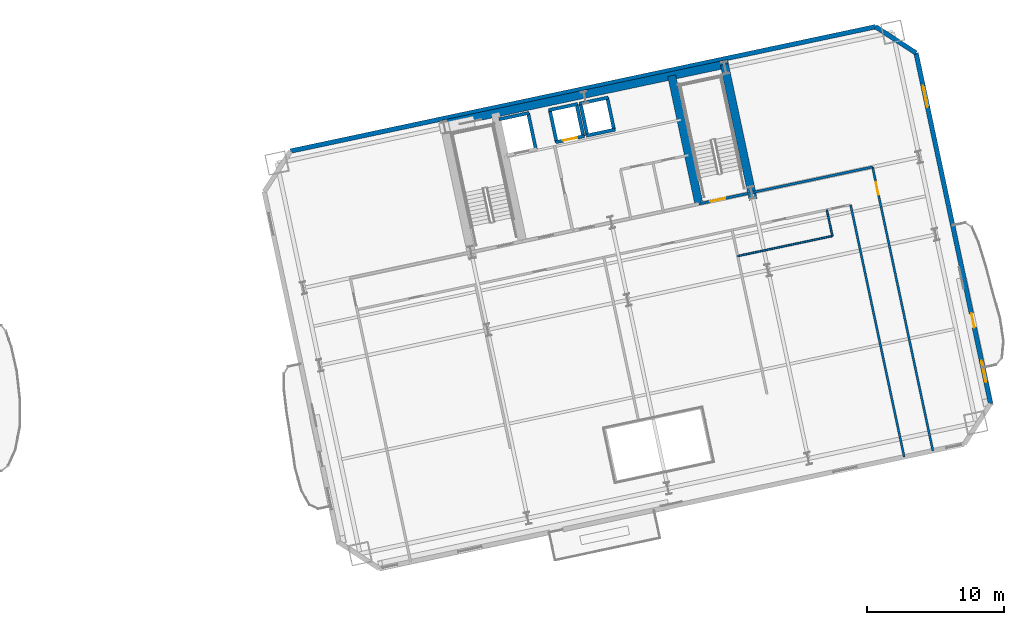
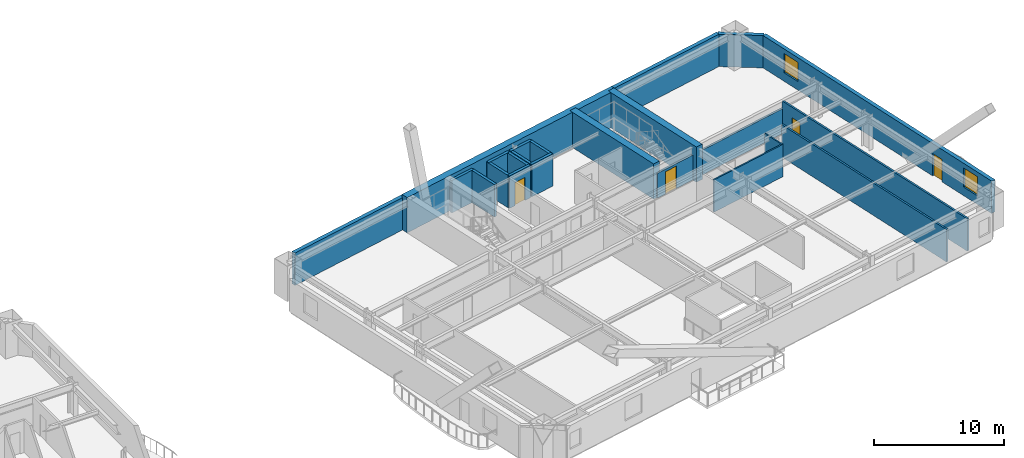
# One storey, part 9 of 18: 22 walls, 4 doors, 2 windows, 6 openings.
"""IFC4 building model written with IfcOpenShell, lengths in metres."""

from ifc_helpers import new_model, si_unit, direction, frame, frame_2d, origin, place, context, subcontext, project, spatial, rectangle, extrude, material, layer, layer_set, type_object, element, fill, save


model = new_model("IFC4")

# Units and contexts
model_context = context("Model", 3, precision=1e-05, world=origin(), true_north=direction((0.0, 1.0)))
body_context = subcontext(model_context, "Body", "Model", "MODEL_VIEW")
ifc_project = project(units=[si_unit("LENGTHUNIT", "METRE"), si_unit("AREAUNIT", "SQUARE_METRE"), si_unit("VOLUMEUNIT", "CUBIC_METRE"), si_unit("PLANEANGLEUNIT", "RADIAN"), si_unit("MASSUNIT", "GRAM", prefix="KILO")], contexts=[model_context])

# Site, building, storey
site_placement = place(None, origin())
site = spatial("IfcSite", under=ifc_project, at=site_placement, CompositionType="ELEMENT")
building_placement = place(site_placement, origin())
building = spatial("IfcBuilding", under=site, at=building_placement, Name="Haevon Station Towers", CompositionType="ELEMENT")
storey_placement = place(building_placement, frame((0.0, 0.0, 60.300048828125)))
storey = spatial("IfcBuildingStorey", under=building, at=storey_placement, Name="L15", CompositionType="ELEMENT", Elevation=60.300048828125)

# Wall
ifc_material_1 = material(Name="Gypsum board on steel stud", Category="steel")
ifc_layer_1 = layer(ifc_material_1, 0.179931640625)
ifc_layer_set_1 = layer_set([ifc_layer_1], Name="Gypsum board on steel stud")
wall_type_1 = type_object("IfcWallType", Name="WL-ACU180", PredefinedType="PARTITIONING", material=ifc_layer_set_1)
wall_1_placement = place(storey_placement, frame((119.29345703125, 41.80859375, 0.0), z_axis=(0.0, 0.0, 1.0), x_axis=(0.978148085545, 0.207909409948, 0.0)))
element("IfcWall", 1, at=wall_1_placement, inside=storey, type_object=wall_type_1, Name="WL-T2PT-L15-03", PredefinedType="PARTITIONING", context=body_context, shape_type="SweptSolid", body=[
    extrude(rectangle(XDim=9.050048828125, YDim=0.179931640625, at=frame_2d((4.52490234375, 0.0))), origin(), (0.0, 0.0, 1.0), 2.329833984375),
])

# Wall, opening, door
ifc_layer_2 = layer(ifc_material_1, 0.199951171875)
ifc_layer_set_2 = layer_set([ifc_layer_2], Name="Gypsum board on steel stud")
wall_type_2 = type_object("IfcWallType", Name="WL-COR200", PredefinedType="PARTITIONING", material=ifc_layer_set_2)
wall_2_placement = place(storey_placement, frame((115.4296875, 40.9873046875, 0.0), z_axis=(0.0, 0.0, 1.0), x_axis=(0.978146596989, 0.207916413008, 0.0)))
wall_2 = element("IfcWall", 2, at=wall_2_placement, inside=storey, type_object=wall_type_2, Name="WL-ST-ST4-L15", PredefinedType="PARTITIONING", context=body_context, shape_type="SweptSolid", body=[
    extrude(rectangle(XDim=3.9501953125, YDim=0.199951171875, at=frame_2d((1.97509765625, 0.0))), origin(), (0.0, 0.0, 1.0), 2.329833984375),
])
opening_1_placement = place(wall_2_placement, frame((0.85009765625, 0.0, 0.0)))
opening_1 = element("IfcOpeningElement", 3, at=opening_1_placement, cuts=wall_2, Name="Opening DR-ST-ST4-L15", PredefinedType="OPENING", context=body_context, shape_type="SweptSolid", body=[
    extrude(rectangle(XDim=1.1201171875, YDim=2.10009765625, at=frame_2d((0.56005859375, 1.050048828125))), frame((0.0, 0.10986328125, 0.0), z_axis=(0.0, -1.0, 0.0), x_axis=(1.0, 0.0, 0.0)), (0.0, 0.0, 1.0), 0.219970703125),
])
ifc_material_2 = material(Name="Engineered oak timber", Category="wood")
door_type_1 = type_object("IfcDoorType", Name="DR-ST-1120", OperationType="NOTDEFINED", PredefinedType="DOOR", material=ifc_material_2)
door_1_placement = place(opening_1_placement, origin())
door_1 = element("IfcDoor", 4, at=door_1_placement, inside=storey, type_object=door_type_1, Name="L15 Escape Stair ST4 Fire Door", OperationType="SINGLE_SWING_LEFT", OverallHeight=2.10009765625, OverallWidth=1.1201171875, PredefinedType="DOOR", context=body_context, shape_type="SweptSolid", body=[
    extrude(rectangle(XDim=1.1201171875, YDim=2.10009765625, at=frame_2d((0.56005859375, 1.050048828125))), frame((0.0, 0.02490234375, 0.0), z_axis=(0.0, -1.0, 0.0), x_axis=(1.0, 0.0, 0.0)), (0.0, 0.0, 1.0), 0.050048828125),
])
fill(opening_1, door_1)

# Walls
ifc_material_3 = material(Name="Concrete C60/75", Category="concrete")
ifc_layer_3 = layer(ifc_material_3, 0.60009765625)
ifc_layer_set_3 = layer_set([ifc_layer_3], Name="Concrete C60/75")
wall_type_3 = type_object("IfcWallType", Name="WL-CR600", PredefinedType="SHEAR", material=ifc_layer_set_3)
wall_3_placement = place(storey_placement, frame((96.462890625, 46.770263671875, 0.0), z_axis=(0.0, 0.0, 1.0), x_axis=(0.978147272959, 0.207913232873, 0.0)))
element("IfcWall", 5, at=wall_3_placement, inside=storey, type_object=wall_type_3, Name="WL-T2CR-L15-N", PredefinedType="SHEAR", context=body_context, shape_type="SweptSolid", body=[
    extrude(rectangle(XDim=21.60009765625, YDim=0.60009765625, at=frame_2d((10.800048828125, 0.0))), origin(), (0.0, 0.0, 1.0), 3.300048828125),
])
wall_4_placement = place(storey_placement, frame((119.401611328125, 41.2998046875, 0.0), z_axis=(0.0, 0.0, 1.0), x_axis=(-0.207904342798, 0.978149162575, 0.0)))
element("IfcWall", 6, at=wall_4_placement, inside=storey, type_object=wall_type_3, Name="WL-T2CR-L15-E", PredefinedType="SHEAR", context=body_context, shape_type="SweptSolid", body=[
    extrude(rectangle(XDim=10.1201171875, YDim=0.60009765625, at=frame_2d((5.06005859375, 0.0))), origin(), (0.0, 0.0, 1.0), 3.300048828125),
])
wall_5_placement = place(storey_placement, frame((115.4296875, 40.9873046875, 0.0), z_axis=(0.0, 0.0, 1.0), x_axis=(-0.207903162969, 0.978149413345, 0.0)))
element("IfcWall", 7, at=wall_5_placement, inside=storey, type_object=wall_type_3, Name="WL-T2CR-L15-M2", PredefinedType="SHEAR", context=body_context, shape_type="SweptSolid", body=[
    extrude(rectangle(XDim=9.599853515625, YDim=0.60009765625, at=frame_2d((4.7998046875, 0.0))), origin(), (0.0, 0.0, 1.0), 3.300048828125),
])
ifc_material_4 = material(Name="Precast concrete C45/55", Category="concrete")
ifc_layer_4 = layer(ifc_material_4, 0.340087890625)
ifc_layer_set_4 = layer_set([ifc_layer_4], Name="Precast concrete C45/55")
wall_type_4 = type_object("IfcWallType", Name="WL-EXT-PIER340", PredefinedType="SOLIDWALL", material=ifc_layer_set_4)
wall_6_placement = place(storey_placement, frame((85.5224609375, 44.853759765625, 0.0), z_axis=(0.0, 0.0, 1.0), x_axis=(0.978147913223, 0.207910220665, 0.0)))
element("IfcWall", 8, at=wall_6_placement, inside=storey, type_object=wall_type_4, Name="WL-T2-L15-N", PredefinedType="SOLIDWALL", context=body_context, shape_type="SweptSolid", body=[
    extrude(rectangle(XDim=43.7998046875, YDim=0.340087890625, at=frame_2d((21.89990234375, 0.0))), origin(), (0.0, 0.0, 1.0), 3.030029296875),
])
wall_7_placement = place(storey_placement, frame((128.365234375, 53.960205078125, 0.0), z_axis=(0.0, 0.0, 1.0), x_axis=(0.838672309694, -0.544636352948, 0.0)))
element("IfcWall", 9, at=wall_7_placement, inside=storey, type_object=wall_type_4, Name="WL-T2-L15-NEC", PredefinedType="SOLIDWALL", context=body_context, shape_type="SweptSolid", body=[
    extrude(rectangle(XDim=3.535400390625, YDim=0.340087890625, at=frame_2d((1.767578125, 0.0))), origin(), (0.0, 0.0, 1.0), 3.030029296875),
])

# Wall, openings, door, windows
wall_8_placement = place(storey_placement, frame((131.330322265625, 52.03466796875, 0.0), z_axis=(0.0, 0.0, 1.0), x_axis=(0.207913593786, -0.978147196244, 0.0)))
wall_8 = element("IfcWall", 10, at=wall_8_placement, inside=storey, type_object=wall_type_4, Name="WL-T2-L15-E", PredefinedType="SOLIDWALL", context=body_context, shape_type="SweptSolid", body=[
    extrude(rectangle(XDim=26.250244140625, YDim=0.340087890625, at=frame_2d((13.125, 0.0))), origin(), (0.0, 0.0, 1.0), 3.030029296875),
])
opening_2_placement = place(wall_8_placement, frame((19.5, 0.0, 0.0)))
opening_2 = element("IfcOpeningElement", 11, at=opening_2_placement, cuts=wall_8, Name="Opening DR-T2-SCAL-L15-E", PredefinedType="OPENING", context=body_context, shape_type="SweptSolid", body=[
    extrude(rectangle(XDim=1.050048828125, YDim=2.10009765625, at=frame_2d((0.52490234375, 1.050048828125))), frame((0.0, 0.179931640625, 0.0), z_axis=(0.0, -1.0, 0.0), x_axis=(1.0, 0.0, 0.0)), (0.0, 0.0, 1.0), 0.360107421875),
])
opening_3_placement = place(wall_8_placement, frame((2.4462890625, 0.0, 0.800048828125)))
opening_3 = element("IfcOpeningElement", 12, at=opening_3_placement, cuts=wall_8, Name="Opening WN-END160", PredefinedType="OPENING", context=body_context, shape_type="SweptSolid", body=[
    extrude(rectangle(XDim=1.60009765625, YDim=1.800048828125, at=frame_2d((0.800048828125, 0.89990234375))), frame((0.0, 0.179931640625, 0.0), z_axis=(0.0, -1.0, 0.0), x_axis=(1.0, 0.0, 0.0)), (0.0, 0.0, 1.0), 0.360107421875),
])
opening_4_placement = place(wall_8_placement, frame((23.02685546875, 0.0, 0.800048828125)))
opening_4 = element("IfcOpeningElement", 13, at=opening_4_placement, cuts=wall_8, Name="Opening WN-END160", PredefinedType="OPENING", context=body_context, shape_type="SweptSolid", body=[
    extrude(rectangle(XDim=1.60009765625, YDim=1.800048828125, at=frame_2d((0.800048828125, 0.89990234375))), frame((0.0, 0.179931640625, 0.0), z_axis=(0.0, -1.0, 0.0), x_axis=(1.0, 0.0, 0.0)), (0.0, 0.0, 1.0), 0.360107421875),
])
ifc_material_5 = material(Name="Thermally broken anodised aluminium and laminated safety glass", Category="aluminium")
door_type_2 = type_object("IfcDoorType", Name="DR-BALC-1050", OperationType="NOTDEFINED", PredefinedType="DOOR", material=ifc_material_5)
door_2_placement = place(opening_2_placement, origin())
door_2 = element("IfcDoor", 14, at=door_2_placement, inside=storey, type_object=door_type_2, Name="Tower 2 L15 East Scalloped Balcony Door", OperationType="SINGLE_SWING_RIGHT", OverallHeight=2.10009765625, OverallWidth=1.050048828125, PredefinedType="DOOR", context=body_context, shape_type="SweptSolid", body=[
    extrude(rectangle(XDim=1.050048828125, YDim=2.10009765625, at=frame_2d((0.52490234375, 1.050048828125))), frame((0.0, 0.02490234375, 0.0), z_axis=(0.0, -1.0, 0.0), x_axis=(1.0, 0.0, 0.0)), (0.0, 0.0, 1.0), 0.050048828125),
])
fill(opening_2, door_2)
ifc_material_6 = material(Name="Low-E triple glazing in thermally broken aluminium", Category="aluminium")
window_type = type_object("IfcWindowType", Name="WN-END160", PartitioningType="SINGLE_PANEL", PredefinedType="WINDOW", material=ifc_material_6)
window_1_placement = place(opening_3_placement, origin())
window_1 = element("IfcWindow", 15, at=window_1_placement, inside=storey, type_object=window_type, Name="WN-T2-L15-E01", OverallHeight=1.800048828125, OverallWidth=1.60009765625, PartitioningType="SINGLE_PANEL", PredefinedType="WINDOW", context=body_context, shape_type="SweptSolid", body=[
    extrude(rectangle(XDim=1.60009765625, YDim=1.800048828125, at=frame_2d((0.800048828125, 0.89990234375))), frame((0.0, 0.030029296875, 0.0), z_axis=(0.0, -1.0, 0.0), x_axis=(1.0, 0.0, 0.0)), (0.0, 0.0, 1.0), 0.06005859375),
])
fill(opening_3, window_1)
window_2_placement = place(opening_4_placement, origin())
window_2 = element("IfcWindow", 16, at=window_2_placement, inside=storey, type_object=window_type, Name="WN-T2-L15-E02", OverallHeight=1.800048828125, OverallWidth=1.60009765625, PartitioningType="SINGLE_PANEL", PredefinedType="WINDOW", context=body_context, shape_type="SweptSolid", body=[
    extrude(rectangle(XDim=1.60009765625, YDim=1.800048828125, at=frame_2d((0.800048828125, 0.89990234375))), frame((0.0, 0.030029296875, 0.0), z_axis=(0.0, -1.0, 0.0), x_axis=(1.0, 0.0, 0.0)), (0.0, 0.0, 1.0), 0.06005859375),
])
fill(opening_4, window_2)

# Walls
ifc_layer_5 = layer(ifc_material_1, 0.125)
ifc_layer_set_5 = layer_set([ifc_layer_5], Name="Gypsum board on steel stud")
wall_type_5 = type_object("IfcWallType", Name="WL-PRT125", PredefinedType="PARTITIONING", material=ifc_layer_set_5)
wall_9_placement = place(storey_placement, frame((118.268798828125, 37.1640625, 0.0), z_axis=(0.0, 0.0, 1.0), x_axis=(0.978148870268, 0.207905718041, 0.0)))
element("IfcWall", 17, at=wall_9_placement, inside=storey, type_object=wall_type_5, Name="WL-T2PT-L15-15", PredefinedType="PARTITIONING", context=body_context, shape_type="SweptSolid", body=[
    extrude(rectangle(XDim=7.087890625, YDim=0.125, at=frame_2d((3.5439453125, 0.0))), origin(), (0.0, 0.0, 1.0), 3.030029296875),
])
wall_10_placement = place(storey_placement, frame((125.201904296875, 38.6376953125, 0.0), z_axis=(0.0, 0.0, 1.0), x_axis=(-0.207947096322, 0.978140074392, 0.0)))
element("IfcWall", 18, at=wall_10_placement, inside=storey, type_object=wall_type_5, Name="WL-T2PT-L15-16", PredefinedType="PARTITIONING", context=body_context, shape_type="SweptSolid", body=[
    extrude(rectangle(XDim=1.9501953125, YDim=0.125, at=frame_2d((0.97509765625, 0.0))), origin(), (0.0, 0.0, 1.0), 3.030029296875),
])
ifc_layer_6 = layer(ifc_material_1, 0.159912109375)
ifc_layer_set_6 = layer_set([ifc_layer_6], Name="Gypsum board on steel stud")
wall_type_6 = type_object("IfcWallType", Name="WL-PRT160", PredefinedType="PARTITIONING", material=ifc_layer_set_6)
wall_11_placement = place(storey_placement, frame((130.460693359375, 22.45751953125, 0.0), z_axis=(0.0, 0.0, 1.0), x_axis=(-0.207903011056, 0.978149445634, 0.0)))
element("IfcWall", 19, at=wall_11_placement, inside=storey, type_object=wall_type_6, Name="WL-T2PT-L15-01", PredefinedType="PARTITIONING", context=body_context, shape_type="SweptSolid", body=[
    extrude(rectangle(XDim=18.869873046875, YDim=0.159912109375, at=frame_2d((9.43505859375, 0.0))), origin(), (0.0, 0.0, 1.0), 3.030029296875),
])

# Wall, opening, door
wall_12_placement = place(storey_placement, frame((132.563720703125, 22.904541015625, 0.0), z_axis=(0.0, 0.0, 1.0), x_axis=(-0.207904649693, 0.978149097345, 0.0)))
wall_12 = element("IfcWall", 20, at=wall_12_placement, inside=storey, type_object=wall_type_6, Name="WL-T2PT-L15-05", PredefinedType="PARTITIONING", context=body_context, shape_type="SweptSolid", body=[
    extrude(rectangle(XDim=21.25, YDim=0.159912109375, at=frame_2d((10.625, 0.0))), origin(), (0.0, 0.0, 1.0), 3.030029296875),
])
opening_5_placement = place(wall_12_placement, frame((19.18994140625, 0.0, 0.0)))
opening_5 = element("IfcOpeningElement", 21, at=opening_5_placement, cuts=wall_12, Name="Opening DR-WL-T2PT-L15-05-01", PredefinedType="OPENING", context=body_context, shape_type="SweptSolid", body=[
    extrude(rectangle(XDim=0.89990234375, YDim=2.050048828125, at=frame_2d((0.449951171875, 1.02490234375))), frame((0.0, 0.08984375, 0.0), z_axis=(0.0, -1.0, 0.0), x_axis=(1.0, 0.0, 0.0)), (0.0, 0.0, 1.0), 0.179931640625),
])
door_type_3 = type_object("IfcDoorType", Name="DR-INT-900", OperationType="NOTDEFINED", PredefinedType="DOOR", material=ifc_material_2)
door_3_placement = place(opening_5_placement, origin())
door_3 = element("IfcDoor", 22, at=door_3_placement, inside=storey, type_object=door_type_3, Name="L15 Tower 2 Room Door 5-1", OperationType="SINGLE_SWING_RIGHT", OverallHeight=2.050048828125, OverallWidth=0.89990234375, PredefinedType="DOOR", context=body_context, shape_type="SweptSolid", body=[
    extrude(rectangle(XDim=0.89990234375, YDim=2.050048828125, at=frame_2d((0.449951171875, 1.02490234375))), frame((0.0, 0.02490234375, 0.0), z_axis=(0.0, -1.0, 0.0), x_axis=(1.0, 0.0, 0.0)), (0.0, 0.0, 1.0), 0.050048828125),
])
fill(opening_5, door_3)

# Walls
ifc_material_7 = material(Name="Concrete C40/50", Category="concrete")
ifc_layer_7 = layer(ifc_material_7, 0.239990234375)
ifc_layer_set_7 = layer_set([ifc_layer_7], Name="Concrete C40/50")
wall_type_7 = type_object("IfcWallType", Name="WL-SHF240", PredefinedType="PARTITIONING", material=ifc_layer_set_7)
wall_13_placement = place(storey_placement, frame((100.79248046875, 47.179443359375, 0.0), z_axis=(0.0, 0.0, 1.0), x_axis=(0.978162968872, 0.207839376268, 0.0)))
element("IfcWall", 23, at=wall_13_placement, inside=storey, type_object=wall_type_7, Name="WL-SHF-FL2-L15-N", PredefinedType="PARTITIONING", context=body_context, shape_type="SweptSolid", body=[
    extrude(rectangle(XDim=2.260009765625, YDim=0.239990234375, at=frame_2d((1.1298828125, 0.0))), origin(), (0.0, 0.0, 1.0), 3.030029296875),
])
wall_14_placement = place(storey_placement, frame((103.486328125, 44.99169921875, 0.0), z_axis=(0.0, 0.0, 1.0), x_axis=(-0.207978798957, 0.978133334052, 0.0)))
element("IfcWall", 24, at=wall_14_placement, inside=storey, type_object=wall_type_7, Name="WL-SHF-FL2-L15-E", PredefinedType="PARTITIONING", context=body_context, shape_type="SweptSolid", body=[
    extrude(rectangle(XDim=2.699951171875, YDim=0.239990234375, at=frame_2d((1.35009765625, 0.0))), origin(), (0.0, 0.0, 1.0), 3.030029296875),
])

# Wall, opening, door
wall_15_placement = place(storey_placement, frame((104.931396484375, 45.503173828125, 0.0), z_axis=(0.0, 0.0, 1.0), x_axis=(0.97813528961, 0.207969601673, 0.0)))
wall_15 = element("IfcWall", 25, at=wall_15_placement, inside=storey, type_object=wall_type_7, Name="WL-SHF-PL7-L15", PredefinedType="PARTITIONING", context=body_context, shape_type="SweptSolid", body=[
    extrude(rectangle(XDim=2.159912109375, YDim=0.239990234375, at=frame_2d((1.080078125, 0.0))), origin(), (0.0, 0.0, 1.0), 3.030029296875),
])
opening_6_placement = place(wall_15_placement, frame((0.554931640625, 0.0, 0.0)))
opening_6 = element("IfcOpeningElement", 26, at=opening_6_placement, cuts=wall_15, Name="Opening LD-PL7-L15", PredefinedType="OPENING", context=body_context, shape_type="SweptSolid", body=[
    extrude(rectangle(XDim=1.050048828125, YDim=2.14990234375, at=frame_2d((0.52490234375, 1.074951171875))), frame((0.0, 0.1298828125, 0.0), z_axis=(0.0, -1.0, 0.0), x_axis=(1.0, 0.0, 0.0)), (0.0, 0.0, 1.0), 0.260009765625),
])
ifc_material_8 = material(Name="Stainless steel and rated core", Category="steel")
door_type_4 = type_object("IfcDoorType", Name="LD-PL1050", OperationType="SLIDING_TO_LEFT", PredefinedType="DOOR", material=ifc_material_8)
door_4_placement = place(opening_6_placement, origin())
door_4 = element("IfcDoor", 27, at=door_4_placement, inside=storey, type_object=door_type_4, Name="L15 Lift PL7 Sliding Landing Door", OperationType="SLIDING_TO_LEFT", OverallHeight=2.14990234375, OverallWidth=1.050048828125, PredefinedType="DOOR", context=body_context, shape_type="SweptSolid", body=[
    extrude(rectangle(XDim=1.050048828125, YDim=2.14990234375, at=frame_2d((0.52490234375, 1.074951171875))), frame((0.0, 0.02490234375, 0.0), z_axis=(0.0, -1.0, 0.0), x_axis=(1.0, 0.0, 0.0)), (0.0, 0.0, 1.0), 0.050048828125),
])
fill(opening_6, door_4)

# Walls
wall_16_placement = place(storey_placement, frame((104.432373046875, 47.850830078125, 0.0), z_axis=(0.0, 0.0, 1.0), x_axis=(0.978158276388, 0.207861459473, 0.0)))
element("IfcWall", 28, at=wall_16_placement, inside=storey, type_object=wall_type_7, Name="WL-SHF-PL7-L15-N", PredefinedType="PARTITIONING", context=body_context, shape_type="SweptSolid", body=[
    extrude(rectangle(XDim=2.159912109375, YDim=0.239990234375, at=frame_2d((1.080078125, 0.0))), origin(), (0.0, 0.0, 1.0), 3.030029296875),
])
wall_17_placement = place(storey_placement, frame((105.009765625, 45.519775390625, 0.0), z_axis=(0.0, 0.0, 1.0), x_axis=(-0.207917150959, 0.978146440129, 0.0)))
element("IfcWall", 29, at=wall_17_placement, inside=storey, type_object=wall_type_7, Name="WL-SHF-PL7-L15-W", PredefinedType="PARTITIONING", context=body_context, shape_type="SweptSolid", body=[
    extrude(rectangle(XDim=2.400146484375, YDim=0.239990234375, at=frame_2d((1.2001953125, 0.0))), origin(), (0.0, 0.0, 1.0), 3.030029296875),
])
wall_18_placement = place(storey_placement, frame((106.966064453125, 45.935791015625, 0.0), z_axis=(0.0, 0.0, 1.0), x_axis=(-0.207937840262, 0.978142042133, 0.0)))
element("IfcWall", 30, at=wall_18_placement, inside=storey, type_object=wall_type_7, Name="WL-SHF-PL7-L15-E", PredefinedType="PARTITIONING", context=body_context, shape_type="SweptSolid", body=[
    extrude(rectangle(XDim=2.39990234375, YDim=0.239990234375, at=frame_2d((1.199951171875, 0.0))), origin(), (0.0, 0.0, 1.0), 3.030029296875),
])
for number, where, z_axis, x_axis, name in (
    (31, (107.18115234375, 45.9814453125, 0.0), (0.0, 0.0, 1.0), (0.97813528961, 0.207969601673, 0.0), "WL-SHF-PL8-L15"),
    (32, (106.68212890625, 48.3291015625, 0.0), (0.0, 0.0, 1.0), (0.978158276388, 0.207861459473, 0.0), "WL-SHF-PL8-L15-N"),
):
    element("IfcWall", number, at=place(storey_placement, frame(where, z_axis=z_axis, x_axis=x_axis)), inside=storey, type_object=wall_type_7, Name=name, PredefinedType="PARTITIONING", context=body_context, shape_type="SweptSolid", body=[
        extrude(rectangle(XDim=2.159912109375, YDim=0.239990234375, at=frame_2d((1.080078125, 0.0))), origin(), (0.0, 0.0, 1.0), 3.030029296875),
    ])
for number, where, z_axis, x_axis, name in (
    (33, (107.259521484375, 45.998046875, 0.0), (0.0, 0.0, 1.0), (-0.207917150959, 0.978146440129, 0.0), "WL-SHF-PL8-L15-W"),
    (34, (109.2158203125, 46.413818359375, 0.0), (0.0, 0.0, 1.0), (-0.207917150959, 0.978146440129, 0.0), "WL-SHF-PL8-L15-E"),
):
    element("IfcWall", number, at=place(storey_placement, frame(where, z_axis=z_axis, x_axis=x_axis)), inside=storey, type_object=wall_type_7, Name=name, PredefinedType="PARTITIONING", context=body_context, shape_type="SweptSolid", body=[
        extrude(rectangle(XDim=2.400146484375, YDim=0.239990234375, at=frame_2d((1.2001953125, 0.0))), origin(), (0.0, 0.0, 1.0), 3.030029296875),
    ])

save(model, "model.ifc")
